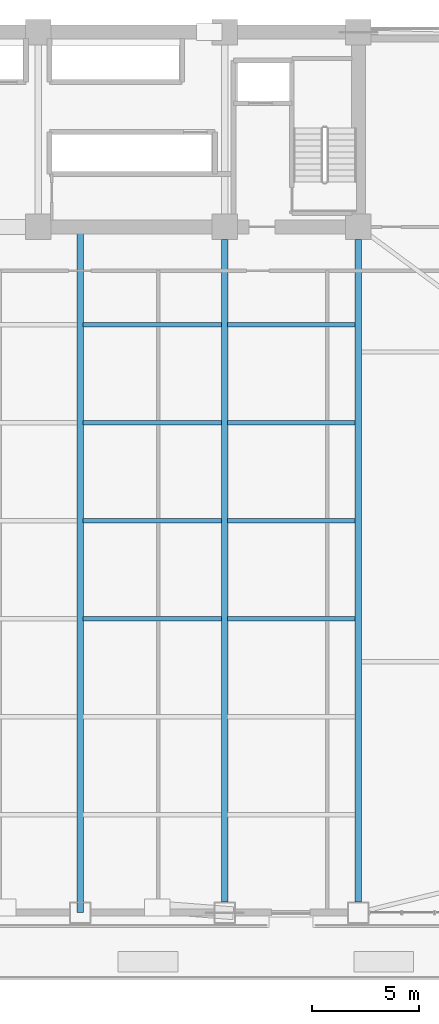
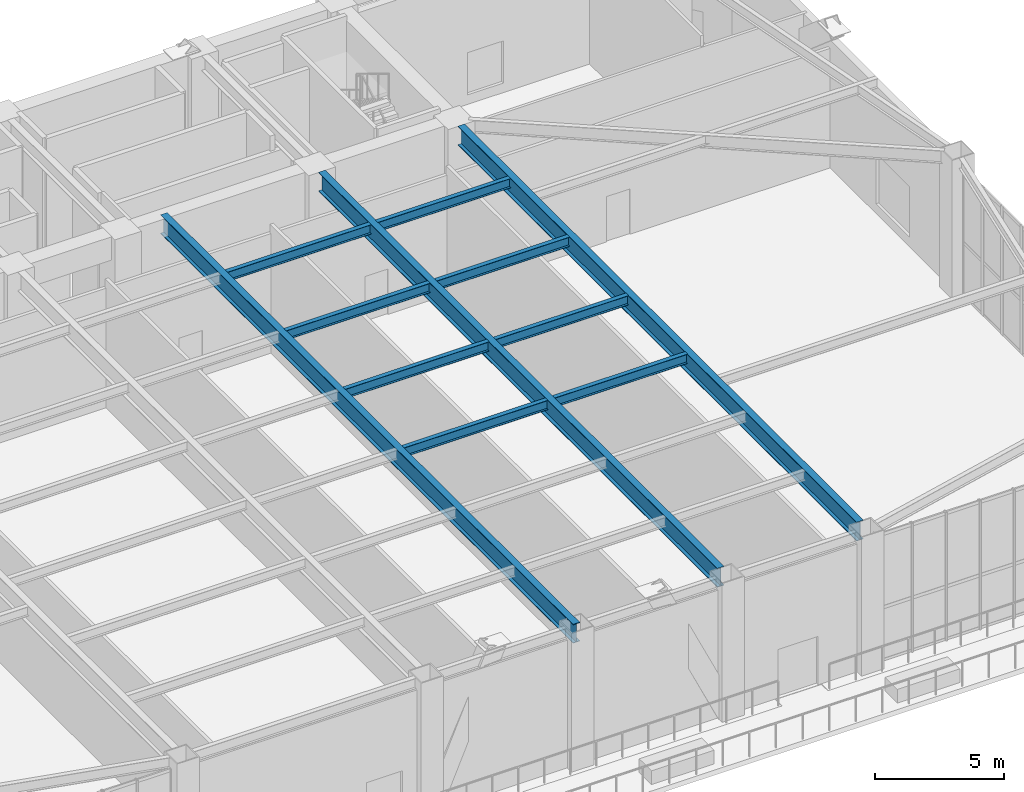
# One storey, part 10 of 22: 11 beams.
"""IFC4 building model written with IfcOpenShell, lengths in metres."""

import ifcopenshell
import ifcopenshell.guid

model = None  # the IFC model being written
_history = None  # IfcOwnerHistory: only IFC2X3 demands one
_inside = {}  # id of a spatial element -> (the spatial element, [elements in it])
_under = {}  # id of a project, library or spatial element -> (it, [spatial elements below it])
_declared = {}  # id of a project -> (the project, [libraries it declares])
_typed = {}  # id of a type object -> (the type object, [elements of that type])
_made_of = {}  # id of a material, layer set ... -> (it, [elements and type objects made of it])


def new_model(schema):
    """Start an empty IFC model of exactly this schema.

    Asked for "IFC4X3", IfcOpenShell would pick the latest addendum, in which some entities
    have other attributes; the version numbers below select the first issue.
    IFC2X3 requires an IfcOwnerHistory on every rooted entity: one is made here for all.
    """
    global model, _history
    if schema == "IFC4X3":
        model = ifcopenshell.file(schema_version=(4, 3, 0, 0))
    else:
        model = ifcopenshell.file(schema=schema)
    _inside.clear()
    _under.clear()
    _declared.clear()
    _typed.clear()
    _made_of.clear()
    _history = None
    if model.schema == "IFC2X3":
        org = make("IfcOrganization", Name="unknown")
        user = make(
            "IfcPersonAndOrganization",
            ThePerson=make("IfcPerson", FamilyName="unknown"),
            TheOrganization=org,
        )
        app = make(
            "IfcApplication",
            ApplicationDeveloper=org,
            Version="unknown",
            ApplicationFullName="unknown",
            ApplicationIdentifier="unknown",
        )
        _history = make(
            "IfcOwnerHistory",
            OwningUser=user,
            OwningApplication=app,
            ChangeAction="ADDED",
            CreationDate=0,
        )
    return model


def make(cls, **values):
    """One entity of the class cls with the attributes given. An attribute that is None is left unset."""
    return model.create_entity(
        cls, **{name: value for name, value in values.items() if value is not None}
    )


def rooted(cls, **values):
    """An entity with a GlobalId (a new one), such as an element, a storey or a relation."""
    return make(cls, GlobalId=ifcopenshell.guid.new(), OwnerHistory=_history, **values)


def si_unit(unit_type, name, prefix=None):
    """IfcSIUnit, for example si_unit("LENGTHUNIT", "METRE", prefix="MILLI")."""
    return make("IfcSIUnit", UnitType=unit_type, Prefix=prefix, Name=name)


def assignment(units):
    """IfcUnitAssignment: the units of a project."""
    return None if units is None else make("IfcUnitAssignment", Units=units)


def point(xyz):
    """IfcCartesianPoint."""
    return None if xyz is None else make("IfcCartesianPoint", Coordinates=xyz)


def direction(xyz):
    """IfcDirection."""
    return None if xyz is None else make("IfcDirection", DirectionRatios=xyz)


def frame(location, z_axis=None, x_axis=None):
    """IfcAxis2Placement3D, a coordinate frame: its origin and axes. An axis left out is left unset."""
    return make(
        "IfcAxis2Placement3D",
        Location=point(location),
        Axis=direction(z_axis),
        RefDirection=direction(x_axis),
    )


def frame_2d(location, x_axis=None):
    """IfcAxis2Placement2D, a coordinate frame in the plane: its origin and x axis."""
    return make(
        "IfcAxis2Placement2D", Location=point(location), RefDirection=direction(x_axis)
    )


def origin():
    """The frame at (0, 0, 0) with its axes left unset."""
    return frame((0.0, 0.0, 0.0))


def origin_2d():
    """The frame at (0, 0) in the plane with its x axis left unset."""
    return frame_2d((0.0, 0.0))


def place(relative_to, where):
    """IfcLocalPlacement: puts the frame where relative to a parent placement (None: the world)."""
    return make(
        "IfcLocalPlacement", PlacementRelTo=relative_to, RelativePlacement=where
    )


def context(
    kind, dimensions, precision=None, world=None, true_north=None, identifier=None
):
    """IfcGeometricRepresentationContext, for example the 3D "Model" context."""
    return make(
        "IfcGeometricRepresentationContext",
        ContextIdentifier=identifier,
        ContextType=kind,
        CoordinateSpaceDimension=dimensions,
        Precision=precision,
        WorldCoordinateSystem=world,
        TrueNorth=true_north,
    )


def subcontext(parent, identifier, kind, view, scale=None):
    """IfcGeometricRepresentationSubContext, for example "Body" below "Model"."""
    return make(
        "IfcGeometricRepresentationSubContext",
        ContextIdentifier=identifier,
        ContextType=kind,
        ParentContext=parent,
        TargetScale=scale,
        TargetView=view,
    )


def project(units=None, contexts=None):
    """IfcProject with its units and contexts."""
    return rooted(
        "IfcProject",
        Name="project",
        RepresentationContexts=contexts,
        UnitsInContext=assignment(units),
    )


def spatial(cls, under=None, at=None, **own):
    """A site, building, storey or space (cls), placed at a placement, below another one or the project."""
    s = rooted(cls, ObjectPlacement=at, **own)
    if under is not None:
        _under.setdefault(under.id(), (under, []))[1].append(s)
    return s


def profile(cls, at=None, kind="AREA", **sizes):
    """A parametric profile (cls). Its sizes go by their IFC names, for example OverallWidth=200.0."""
    return make(cls, ProfileType=kind, Position=at, **sizes)


def i_section(**sizes):
    """IfcIShapeProfileDef."""
    return profile("IfcIShapeProfileDef", **sizes)


def extrude(swept, where, along, depth):
    """IfcExtrudedAreaSolid: the profile swept, set in the frame where, extruded along a direction by depth."""
    return make(
        "IfcExtrudedAreaSolid",
        SweptArea=swept,
        Position=where,
        ExtrudedDirection=direction(along),
        Depth=depth,
    )


def shape(context_of_items, identifier, shape_type, items):
    """IfcShapeRepresentation: the items that make up one representation, for example the "Body"."""
    return make(
        "IfcShapeRepresentation",
        ContextOfItems=context_of_items,
        RepresentationIdentifier=identifier,
        RepresentationType=shape_type,
        Items=items,
    )


def source(mapping_origin, context_of_items, identifier, shape_type, items):
    """IfcRepresentationMap: a shape defined once, which mapped items show again and again."""
    return make(
        "IfcRepresentationMap",
        MappingOrigin=mapping_origin,
        MappedRepresentation=shape(context_of_items, identifier, shape_type, items),
    )


def transform(
    local_origin,
    x_axis=None,
    y_axis=None,
    z_axis=None,
    scale=None,
    scale2=None,
    scale3=None,
    uniform=True,
):
    """IfcCartesianTransformationOperator3D, or its non-uniform kind. x_axis, y_axis, z_axis: its Axis1, 2, 3."""
    if uniform:
        return make(
            "IfcCartesianTransformationOperator3D",
            Axis1=direction(x_axis),
            Axis2=direction(y_axis),
            LocalOrigin=point(local_origin),
            Scale=scale,
            Axis3=direction(z_axis),
        )
    return make(
        "IfcCartesianTransformationOperator3DnonUniform",
        Axis1=direction(x_axis),
        Axis2=direction(y_axis),
        LocalOrigin=point(local_origin),
        Scale=scale,
        Axis3=direction(z_axis),
        Scale2=scale2,
        Scale3=scale3,
    )


def mapped(mapping_source, mapping_target):
    """IfcMappedItem: shows the shape of a source again, moved by a transform."""
    return make(
        "IfcMappedItem", MappingSource=mapping_source, MappingTarget=mapping_target
    )


def material(Name=None, Category=None):
    """IfcMaterial."""
    return make("IfcMaterial", Name=Name, Category=Category)


def material_profile(
    of_material, cross_section, Name=None, Category=None, Priority=None
):
    """IfcMaterialProfile: a cross section and its material."""
    return make(
        "IfcMaterialProfile",
        Name=Name,
        Material=of_material,
        Profile=cross_section,
        Priority=Priority,
        Category=Category,
    )


def profile_set(profiles, Name=None, composite=None):
    """IfcMaterialProfileSet."""
    return make(
        "IfcMaterialProfileSet",
        Name=Name,
        MaterialProfiles=profiles,
        CompositeProfile=composite,
    )


def made_of(thing, what):
    """Note that an element or type object is made of a material, layer set ...; save() writes the relation."""
    if what is not None:
        _made_of.setdefault(what.id(), (what, []))[1].append(thing)
    return thing


def type_object(cls, material=None, **own):
    """A type object (cls), such as IfcWallType, which elements share."""
    return made_of(rooted(cls, **own), material)


def element(
    cls,
    number,
    at=None,
    inside=None,
    cuts=None,
    type_object=None,
    material=None,
    context=None,
    identifier="Body",
    shape_type=None,
    held_by="IfcProductDefinitionShape",
    body=None,
    shapes=None,
    **own,
):
    """One element of the class cls, such as IfcWall. Its Tag is "e" and its number.

    at: its placement. inside: the storey or other place that contains it. cuts: it is an
    opening in that element (IfcRelVoidsElement). A single representation is given by context,
    identifier, shape_type and body (its items); several are given by shapes. held_by: the class
    of the entity that holds the representations. save() writes the other relations.
    """
    e = rooted(cls, Tag="e%d" % number, ObjectPlacement=at, **own)
    if body is not None:
        shapes = [shape(context, identifier, shape_type, body)]
    if shapes is not None:
        e.Representation = make(held_by, Representations=shapes)
    if inside is not None:
        _inside.setdefault(inside.id(), (inside, []))[1].append(e)
    if cuts is not None:
        rooted(
            "IfcRelVoidsElement", RelatingBuildingElement=cuts, RelatedOpeningElement=e
        )
    if type_object is not None:
        _typed.setdefault(type_object.id(), (type_object, []))[1].append(e)
    return made_of(e, material)


def aggregate(whole, parts):
    """IfcRelAggregates: a whole, such as a stair, and the parts it consists of."""
    return rooted("IfcRelAggregates", RelatingObject=whole, RelatedObjects=parts)


def save(model, path):
    """Write the relations noted so far, then the file.

    IfcRelAggregates (storeys below a building ...), IfcRelContainedInSpatialStructure (elements
    in a storey), IfcRelDefinesByType, IfcRelAssociatesMaterial and IfcRelDeclares: one each for
    every whole, place, type object, material and project.
    """
    for whole, parts in _under.values():
        aggregate(whole, parts)
    for where, things in _inside.values():
        rooted(
            "IfcRelContainedInSpatialStructure",
            RelatedElements=things,
            RelatingStructure=where,
        )
    for kind, things in _typed.values():
        rooted("IfcRelDefinesByType", RelatedObjects=things, RelatingType=kind)
    for what, things in _made_of.values():
        rooted("IfcRelAssociatesMaterial", RelatedObjects=things, RelatingMaterial=what)
    for by, libraries in _declared.values():
        rooted("IfcRelDeclares", RelatingContext=by, RelatedDefinitions=libraries)
    model.write(path)


model = new_model("IFC4")

# Units and contexts
model_context = context("Model", 3, precision=1e-05, world=origin(), true_north=direction((0.0, 1.0)))
body_context = subcontext(model_context, "Body", "Model", "MODEL_VIEW")
ifc_project = project(units=[si_unit("LENGTHUNIT", "METRE"), si_unit("AREAUNIT", "SQUARE_METRE"), si_unit("VOLUMEUNIT", "CUBIC_METRE"), si_unit("PLANEANGLEUNIT", "RADIAN"), si_unit("MASSUNIT", "GRAM", prefix="KILO")], contexts=[model_context])

# Site, building, storey
site_placement = place(None, origin())
site = spatial("IfcSite", under=ifc_project, at=site_placement, CompositionType="ELEMENT")
building_placement = place(site_placement, origin())
building = spatial("IfcBuilding", under=site, at=building_placement, Name="Giltprow Tower", CompositionType="ELEMENT")
storey_placement = place(building_placement, frame((0.0, 0.0, 72.800048828125)))
storey = spatial("IfcBuildingStorey", under=building, at=storey_placement, Name="L18", CompositionType="ELEMENT", Elevation=72.800048828125)

# Beams
ifc_material = material(Name="Structural steel Q355B", Category="steel")
ifc_material_profile_1 = material_profile(ifc_material, i_section(OverallWidth=0.199951171875, OverallDepth=0.449951171875, WebThickness=0.009033203125, FlangeThickness=0.013916015625, at=origin_2d()), Name="HN 450x200x9x14")
ifc_profile_set_1 = profile_set([ifc_material_profile_1], Name="Structural steel Q355B")
beam_type_1 = type_object("IfcBeamType", Name="BM-JOIST-HN450", PredefinedType="JOIST", material=ifc_profile_set_1)
shared_shape_1 = source(origin(), body_context, "Body", "SweptSolid", [
    extrude(i_section(OverallWidth=0.199951171875, OverallDepth=0.449951171875, WebThickness=0.009033203125, FlangeThickness=0.013916015625, at=origin_2d()), origin(), (0.0, 0.0, 1.0), 6.4599609375),
])
for number, where, z_axis, x_axis, name in (
    (1, (37.695068359375, 19.14111328125, 6.35498046875), (1.0, 0.0, 0.0), (0.0, 1.0, 0.0), "L18 Composite Floor Joist 3-3"),
    (2, (37.695068359375, 23.718017578125, 6.35498046875), (1.0, 0.0, 0.0), (0.0, 1.0, 0.0), "L18 Composite Floor Joist 4-3"),
    (3, (37.695068359375, 28.294921875, 6.35498046875), (1.0, 0.0, 0.0), (0.0, 1.0, 0.0), "L18 Composite Floor Joist 5-3"),
    (4, (37.695068359375, 32.873046875, 6.35498046875), (1.0, 0.0, 0.0), (0.0, 1.0, 0.0), "L18 Composite Floor Joist 6-3"),
):
    element("IfcBeam", number, at=place(storey_placement, frame(where, z_axis=z_axis, x_axis=x_axis)), inside=storey, type_object=beam_type_1, Name=name, PredefinedType="JOIST", context=body_context, shape_type="MappedRepresentation", body=[
        mapped(shared_shape_1, transform((0.0, 0.0, 0.0), x_axis=(1.0, 0.0, 0.0), y_axis=(0.0, 1.0, 0.0), z_axis=(0.0, 0.0, 1.0), scale=1.0)),
    ])
shared_shape_2 = source(origin(), body_context, "Body", "SweptSolid", [
    extrude(i_section(OverallWidth=0.199951171875, OverallDepth=0.449951171875, WebThickness=0.009033203125, FlangeThickness=0.013916015625, at=origin_2d()), origin(), (0.0, 0.0, 1.0), 5.9599609375),
])
for number, where, z_axis, x_axis, name in (
    (5, (44.445068359375, 19.14111328125, 6.35498046875), (1.0, 0.0, 0.0), (0.0, 1.0, 0.0), "L18 Composite Floor Joist 3-4"),
    (6, (44.445068359375, 23.718017578125, 6.35498046875), (1.0, 0.0, 0.0), (0.0, 1.0, 0.0), "L18 Composite Floor Joist 4-4"),
    (7, (44.445068359375, 28.294921875, 6.35498046875), (1.0, 0.0, 0.0), (0.0, 1.0, 0.0), "L18 Composite Floor Joist 5-4"),
    (8, (44.445068359375, 32.873046875, 6.35498046875), (1.0, 0.0, 0.0), (0.0, 1.0, 0.0), "L18 Composite Floor Joist 6-4"),
):
    element("IfcBeam", number, at=place(storey_placement, frame(where, z_axis=z_axis, x_axis=x_axis)), inside=storey, type_object=beam_type_1, Name=name, PredefinedType="JOIST", context=body_context, shape_type="MappedRepresentation", body=[
        mapped(shared_shape_2, transform((0.0, 0.0, 0.0), x_axis=(1.0, 0.0, 0.0), y_axis=(0.0, 1.0, 0.0), z_axis=(0.0, 0.0, 1.0), scale=1.0)),
    ])
ifc_material_profile_2 = material_profile(ifc_material, i_section(OverallWidth=0.300048828125, OverallDepth=0.89990234375, WebThickness=0.01611328125, FlangeThickness=0.028076171875, at=origin_2d()), Name="HN 900x300x16x28")
ifc_profile_set_2 = profile_set([ifc_material_profile_2], Name="Structural steel Q355B")
beam_type_2 = type_object("IfcBeamType", Name="BM-GIRD-HN900", PredefinedType="BEAM", material=ifc_profile_set_2)
shared_shape_3 = source(origin(), body_context, "Body", "SweptSolid", [
    extrude(i_section(OverallWidth=0.300048828125, OverallDepth=0.89990234375, WebThickness=0.01611328125, FlangeThickness=0.028076171875, at=origin_2d()), origin(), (0.0, 0.0, 1.0), 30.970947265625),
])
for number, where, z_axis, x_axis, name in (
    (9, (44.300048828125, 5.89404296875, 6.1298828125), (0.0, 1.0, 0.0), (-1.0, 0.0, 0.0), "L18 Primary Lease Girder S3"),
    (10, (50.550048828125, 5.89404296875, 6.1298828125), (0.0, 1.0, 0.0), (-1.0, 0.0, 0.0), "L18 Primary Lease Girder S4"),
):
    element("IfcBeam", number, at=place(storey_placement, frame(where, z_axis=z_axis, x_axis=x_axis)), inside=storey, type_object=beam_type_2, Name=name, PredefinedType="BEAM", context=body_context, shape_type="MappedRepresentation", body=[
        mapped(shared_shape_3, transform((0.0, 0.0, 0.0), x_axis=(1.0, 0.0, 0.0), y_axis=(0.0, 1.0, 0.0), z_axis=(0.0, 0.0, 1.0), scale=1.0)),
    ])
shared_shape_4 = source(origin(), body_context, "Body", "SweptSolid", [
    extrude(i_section(OverallWidth=0.300048828125, OverallDepth=0.89990234375, WebThickness=0.01611328125, FlangeThickness=0.028076171875, at=origin_2d()), origin(), (0.0, 0.0, 1.0), 32.041015625),
])
beam_placement = place(storey_placement, frame((37.550048828125, 5.408935546875, 6.1298828125), z_axis=(0.0, 1.0, 0.0), x_axis=(-1.0, 0.0, 0.0)))
element("IfcBeam", 11, at=beam_placement, inside=storey, type_object=beam_type_2, Name="L18 Central Lease Girder SMID", PredefinedType="BEAM", context=body_context, shape_type="MappedRepresentation", body=[
    mapped(shared_shape_4, transform((0.0, 0.0, 0.0), x_axis=(1.0, 0.0, 0.0), y_axis=(0.0, 1.0, 0.0), z_axis=(0.0, 0.0, 1.0), scale=1.0)),
])

save(model, "model.ifc")
